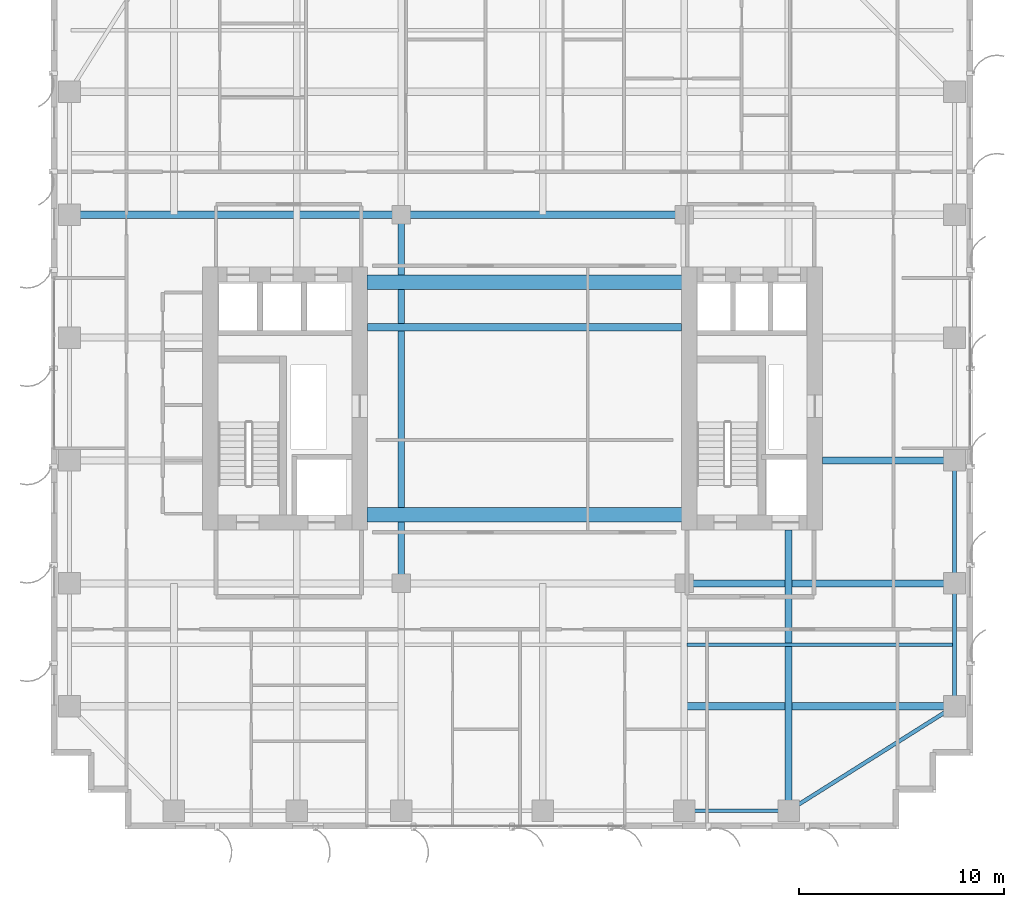
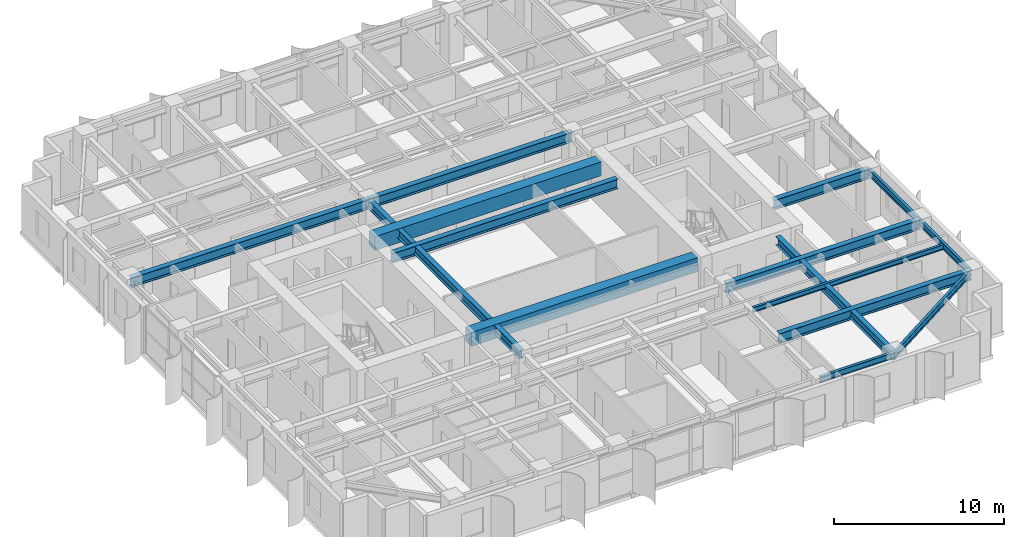
# One storey, part 6 of 19: 15 beams.
"""IFC4 building model written with IfcOpenShell, lengths in metres."""

from ifc_helpers import new_model, si_unit, direction, frame, origin, origin_2d, place, context, subcontext, project, spatial, rectangle, i_section, extrude, source, transform, mapped, material, material_profile, profile_set, type_object, element, save


model = new_model("IFC4")

# Units and contexts
model_context = context("Model", 3, precision=1e-05, world=origin(), true_north=direction((0.0, 1.0)))
body_context = subcontext(model_context, "Body", "Model", "MODEL_VIEW")
ifc_project = project(units=[si_unit("LENGTHUNIT", "METRE"), si_unit("AREAUNIT", "SQUARE_METRE"), si_unit("VOLUMEUNIT", "CUBIC_METRE"), si_unit("PLANEANGLEUNIT", "RADIAN"), si_unit("MASSUNIT", "GRAM", prefix="KILO")], contexts=[model_context])

# Site, building, storey
site_placement = place(None, origin())
site = spatial("IfcSite", under=ifc_project, at=site_placement, CompositionType="ELEMENT")
building_placement = place(site_placement, origin())
building = spatial("IfcBuilding", under=site, at=building_placement, Name="Khoralis Quay Care Tower", CompositionType="ELEMENT")
storey_placement = place(building_placement, frame((0.0, 0.0, 90.89990234375)))
storey = spatial("IfcBuildingStorey", under=building, at=storey_placement, Name="L23", CompositionType="ELEMENT", Elevation=90.89990234375)

# Beams
ifc_material_1 = material(Name="Concrete C80/95", Category="concrete")
ifc_material_profile_1 = material_profile(ifc_material_1, rectangle(XDim=0.699951171875, YDim=1.0, at=origin_2d()), Name="Concrete C80/95")
ifc_profile_set_1 = profile_set([ifc_material_profile_1], Name="Concrete C80/95")
beam_type_1 = type_object("IfcBeamType", Name="CB-RC700X1000", PredefinedType="LINTEL", material=ifc_profile_set_1)
shared_shape_1 = source(origin(), body_context, "Body", "SweptSolid", [
    extrude(rectangle(XDim=0.699951171875, YDim=1.0, at=origin_2d()), origin(), (0.0, 0.0, 1.0), 15.380126953125),
])
for number, where, z_axis, x_axis, name in (
    (1, (15.419921875, 15.35009765625, 2.840087890625), (1.0, 0.0, 0.0), (0.0, 1.0, 0.0), "L23 South Core Coupling Lintel"),
    (2, (15.419921875, 26.699951171875, 2.840087890625), (1.0, 0.0, 0.0), (0.0, 1.0, 0.0), "L23 North Core Coupling Lintel"),
):
    element("IfcBeam", number, at=place(storey_placement, frame(where, z_axis=z_axis, x_axis=x_axis)), inside=storey, type_object=beam_type_1, Name=name, PredefinedType="LINTEL", context=body_context, shape_type="MappedRepresentation", body=[
        mapped(shared_shape_1, transform((0.0, 0.0, 0.0), scale=1.0)),
    ])
ifc_material_2 = material(Name="Steel S355", Category="steel")
ifc_material_profile_2 = material_profile(ifc_material_2, i_section(OverallWidth=0.18994140625, OverallDepth=0.449951171875, WebThickness=0.009521484375, FlangeThickness=0.0146484375, FilletRadius=0.02099609375, at=origin_2d()), Name="Steel S355")
ifc_profile_set_2 = profile_set([ifc_material_profile_2], Name="Steel S355")
beam_type_2 = type_object("IfcBeamType", Name="BM-IPE450", PredefinedType="SPANDREL", material=ifc_profile_set_2)
shared_shape_2 = source(origin(), body_context, "Body", "SweptSolid", [
    extrude(i_section(OverallWidth=0.18994140625, OverallDepth=0.449951171875, WebThickness=0.009521484375, FlangeThickness=0.0146484375, FilletRadius=0.02099609375, at=origin_2d()), origin(), (0.0, 0.0, 1.0), 6.0),
])
for number, where, z_axis, x_axis, name in (
    (3, (44.10009765625, 6.0, 3.114990234375), (0.0, 1.0, 0.0), (-1.0, 0.0, 0.0), "BM-TSP-L23-16"),
    (4, (44.10009765625, 12.0, 3.114990234375), (0.0, 1.0, 0.0), (-1.0, 0.0, 0.0), "BM-TSP-L23-17"),
):
    element("IfcBeam", number, at=place(storey_placement, frame(where, z_axis=z_axis, x_axis=x_axis)), inside=storey, type_object=beam_type_2, Name=name, PredefinedType="SPANDREL", context=body_context, shape_type="MappedRepresentation", body=[
        mapped(shared_shape_2, transform((0.0, 0.0, 0.0), scale=1.0)),
    ])
shared_shape_3 = source(origin(), body_context, "Body", "SweptSolid", [
    extrude(i_section(OverallWidth=0.18994140625, OverallDepth=0.449951171875, WebThickness=0.009521484375, FlangeThickness=0.0146484375, FilletRadius=0.02099609375, at=origin_2d()), origin(), (0.0, 0.0, 1.0), 5.10009765625),
])
beam_1_placement = place(storey_placement, frame((30.89990234375, 0.89990234375, 3.114990234375), z_axis=(1.0, 0.0, 0.0), x_axis=(0.0, 1.0, 0.0)))
element("IfcBeam", 5, at=beam_1_placement, inside=storey, type_object=beam_type_2, Name="BM-TSP-L23-05", PredefinedType="SPANDREL", context=body_context, shape_type="MappedRepresentation", body=[
    mapped(shared_shape_3, transform((0.0, 0.0, 0.0), scale=1.0)),
])
ifc_material_profile_3 = material_profile(ifc_material_2, i_section(OverallWidth=0.35498046875, OverallDepth=0.695068359375, WebThickness=0.015380859375, FlangeThickness=0.02490234375, FilletRadius=0.02001953125, at=origin_2d()), Name="Steel S355")
ifc_profile_set_3 = profile_set([ifc_material_profile_3], Name="Steel S355")
beam_type_3 = type_object("IfcBeamType", Name="BM-W690X217", PredefinedType="BEAM", material=ifc_profile_set_3)
shared_shape_4 = source(origin(), body_context, "Body", "SweptSolid", [
    extrude(i_section(OverallWidth=0.35498046875, OverallDepth=0.695068359375, WebThickness=0.015380859375, FlangeThickness=0.02490234375, FilletRadius=0.02001953125, at=origin_2d()), origin(), (0.0, 0.0, 1.0), 16.2001953125),
])
beam_2_placement = place(storey_placement, frame((0.89990234375, 30.0, 2.99267578125), z_axis=(1.0, 0.0, 0.0), x_axis=(0.0, 1.0, 0.0)))
element("IfcBeam", 6, at=beam_2_placement, inside=storey, type_object=beam_type_3, Name="BM-TGXW-L23-300", PredefinedType="BEAM", context=body_context, shape_type="MappedRepresentation", body=[
    mapped(shared_shape_4, transform((0.0, 0.0, 0.0), scale=1.0)),
])
shared_shape_5 = source(origin(), body_context, "Body", "SweptSolid", [
    extrude(i_section(OverallWidth=0.35498046875, OverallDepth=0.695068359375, WebThickness=0.015380859375, FlangeThickness=0.02490234375, FilletRadius=0.02001953125, at=origin_2d()), origin(), (0.0, 0.0, 1.0), 13.7998046875),
])
beam_3_placement = place(storey_placement, frame((17.10009765625, 30.0, 2.99267578125), z_axis=(1.0, 0.0, 0.0), x_axis=(0.0, 1.0, 0.0)))
element("IfcBeam", 7, at=beam_3_placement, inside=storey, type_object=beam_type_3, Name="BM-TGCC-L23-300", PredefinedType="BEAM", context=body_context, shape_type="MappedRepresentation", body=[
    mapped(shared_shape_5, transform((0.0, 0.0, 0.0), scale=1.0)),
])
ifc_material_profile_4 = material_profile(ifc_material_2, i_section(OverallWidth=0.324951171875, OverallDepth=0.615966796875, WebThickness=0.013916015625, FlangeThickness=0.021484375, FilletRadius=0.01806640625, at=origin_2d()), Name="Steel S355")
ifc_profile_set_4 = profile_set([ifc_material_profile_4], Name="Steel S355")
beam_type_4 = type_object("IfcBeamType", Name="BM-W610X174", PredefinedType="BEAM", material=ifc_profile_set_4)
shared_shape_6 = source(origin(), body_context, "Body", "SweptSolid", [
    extrude(i_section(OverallWidth=0.324951171875, OverallDepth=0.615966796875, WebThickness=0.013916015625, FlangeThickness=0.021484375, FilletRadius=0.01806640625, at=origin_2d()), origin(), (0.0, 0.0, 1.0), 18.0),
])
beam_4_placement = place(storey_placement, frame((17.10009765625, 12.0, 3.031982421875), z_axis=(0.0, 1.0, 0.0), x_axis=(-1.0, 0.0, 0.0)))
element("IfcBeam", 8, at=beam_4_placement, inside=storey, type_object=beam_type_4, Name="BM-TGSW-L23", PredefinedType="BEAM", context=body_context, shape_type="MappedRepresentation", body=[
    mapped(shared_shape_6, transform((0.0, 0.0, 0.0), scale=1.0)),
])
shared_shape_7 = source(origin(), body_context, "Body", "SweptSolid", [
    extrude(i_section(OverallWidth=0.18994140625, OverallDepth=0.449951171875, WebThickness=0.009521484375, FlangeThickness=0.0146484375, FilletRadius=0.02099609375, at=origin_2d()), origin(), (0.0, 0.0, 1.0), 9.572021484375),
])
beam_5_placement = place(storey_placement, frame((36.0, 0.89990234375, 3.114990234375), z_axis=(0.846231136359, 0.532815975602, 0.0), x_axis=(-0.532815975602, 0.846231136359, 0.0)))
element("IfcBeam", 9, at=beam_5_placement, inside=storey, type_object=beam_type_2, Name="BM-TCR-L23-22", PredefinedType="SPANDREL", context=body_context, shape_type="MappedRepresentation", body=[
    mapped(shared_shape_7, transform((0.0, 0.0, 0.0), scale=1.0)),
])
shared_shape_8 = source(origin(), body_context, "Body", "SweptSolid", [
    extrude(i_section(OverallWidth=0.35498046875, OverallDepth=0.695068359375, WebThickness=0.015380859375, FlangeThickness=0.02490234375, FilletRadius=0.02001953125, at=origin_2d()), origin(), (0.0, 0.0, 1.0), 13.049560546875),
])
beam_6_placement = place(storey_placement, frame((31.050537109375, 6.0, 2.99267578125), z_axis=(1.0, 0.0, 0.0), x_axis=(0.0, 1.0, 0.0)))
element("IfcBeam", 10, at=beam_6_placement, inside=storey, type_object=beam_type_3, Name="BM-TGXE-L23-60", PredefinedType="BEAM", context=body_context, shape_type="MappedRepresentation", body=[
    mapped(shared_shape_8, transform((0.0, 0.0, 0.0), scale=1.0)),
])
shared_shape_9 = source(origin(), body_context, "Body", "SweptSolid", [
    extrude(i_section(OverallWidth=0.35498046875, OverallDepth=0.695068359375, WebThickness=0.015380859375, FlangeThickness=0.02490234375, FilletRadius=0.02001953125, at=origin_2d()), origin(), (0.0, 0.0, 1.0), 13.2001953125),
])
beam_7_placement = place(storey_placement, frame((30.89990234375, 12.0, 2.99267578125), z_axis=(1.0, 0.0, 0.0), x_axis=(0.0, 1.0, 0.0)))
element("IfcBeam", 11, at=beam_7_placement, inside=storey, type_object=beam_type_3, Name="BM-TGXE-L23-120", PredefinedType="BEAM", context=body_context, shape_type="MappedRepresentation", body=[
    mapped(shared_shape_9, transform((0.0, 0.0, 0.0), scale=1.0)),
])
shared_shape_10 = source(origin(), body_context, "Body", "SweptSolid", [
    extrude(i_section(OverallWidth=0.35498046875, OverallDepth=0.695068359375, WebThickness=0.015380859375, FlangeThickness=0.02490234375, FilletRadius=0.02001953125, at=origin_2d()), origin(), (0.0, 0.0, 1.0), 6.4521484375),
])
beam_8_placement = place(storey_placement, frame((37.64794921875, 18.0, 2.99267578125), z_axis=(1.0, 0.0, 0.0), x_axis=(0.0, 1.0, 0.0)))
element("IfcBeam", 12, at=beam_8_placement, inside=storey, type_object=beam_type_3, Name="BM-TGXE-L23-180", PredefinedType="BEAM", context=body_context, shape_type="MappedRepresentation", body=[
    mapped(shared_shape_10, transform((0.0, 0.0, 0.0), scale=1.0)),
])
shared_shape_11 = source(origin(), body_context, "Body", "SweptSolid", [
    extrude(i_section(OverallWidth=0.35498046875, OverallDepth=0.695068359375, WebThickness=0.015380859375, FlangeThickness=0.02490234375, FilletRadius=0.02001953125, at=origin_2d()), origin(), (0.0, 0.0, 1.0), 15.323974609375),
])
beam_9_placement = place(storey_placement, frame((15.447998046875, 24.5, 2.99267578125), z_axis=(1.0, 0.0, 0.0), x_axis=(0.0, 1.0, 0.0)))
element("IfcBeam", 13, at=beam_9_placement, inside=storey, type_object=beam_type_3, Name="BM-TGCC-L23-245", PredefinedType="BEAM", context=body_context, shape_type="MappedRepresentation", body=[
    mapped(shared_shape_11, transform((0.0, 0.0, 0.0), scale=1.0)),
])
shared_shape_12 = source(origin(), body_context, "Body", "SweptSolid", [
    extrude(i_section(OverallWidth=0.324951171875, OverallDepth=0.615966796875, WebThickness=0.013916015625, FlangeThickness=0.021484375, FilletRadius=0.01806640625, at=origin_2d()), origin(), (0.0, 0.0, 1.0), 13.7021484375),
])
beam_10_placement = place(storey_placement, frame((36.0, 0.89990234375, 3.031982421875), z_axis=(0.0, 1.0, 0.0), x_axis=(-1.0, 0.0, 0.0)))
element("IfcBeam", 14, at=beam_10_placement, inside=storey, type_object=beam_type_4, Name="BM-TGYS-L23-360", PredefinedType="BEAM", context=body_context, shape_type="MappedRepresentation", body=[
    mapped(shared_shape_12, transform((0.0, 0.0, 0.0), scale=1.0)),
])
ifc_material_profile_5 = material_profile(ifc_material_2, i_section(OverallWidth=0.1708984375, OverallDepth=0.35498046875, WebThickness=0.007080078125, FlangeThickness=0.01171875, FilletRadius=0.012939453125, at=origin_2d()), Name="Steel S355")
ifc_profile_set_5 = profile_set([ifc_material_profile_5], Name="Steel S355")
beam_type_5 = type_object("IfcBeamType", Name="BM-W360X51", PredefinedType="JOIST", material=ifc_profile_set_5)
shared_shape_13 = source(origin(), body_context, "Body", "SweptSolid", [
    extrude(i_section(OverallWidth=0.1708984375, OverallDepth=0.35498046875, WebThickness=0.007080078125, FlangeThickness=0.01171875, FilletRadius=0.012939453125, at=origin_2d()), origin(), (0.0, 0.0, 1.0), 12.968505859375),
])
beam_11_placement = place(storey_placement, frame((31.050537109375, 9.0, 3.16259765625), z_axis=(1.0, 0.0, 0.0), x_axis=(0.0, 1.0, 0.0)))
element("IfcBeam", 15, at=beam_11_placement, inside=storey, type_object=beam_type_5, Name="BM-TJS-L23-26", PredefinedType="JOIST", context=body_context, shape_type="MappedRepresentation", body=[
    mapped(shared_shape_13, transform((0.0, 0.0, 0.0), scale=1.0)),
])

save(model, "model.ifc")
